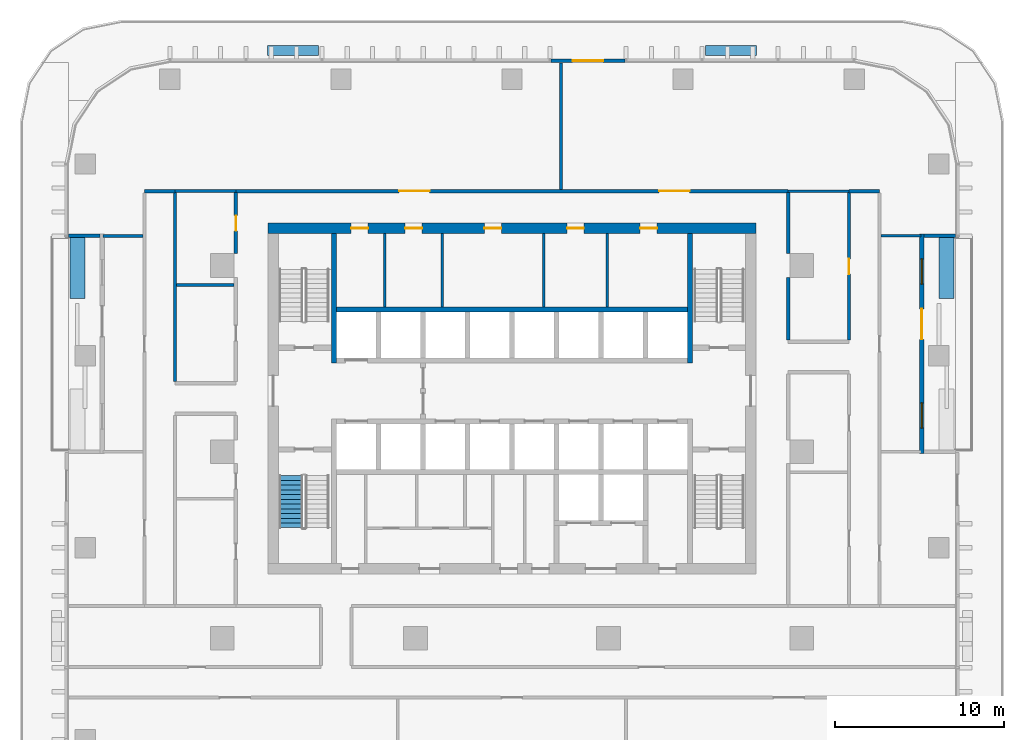
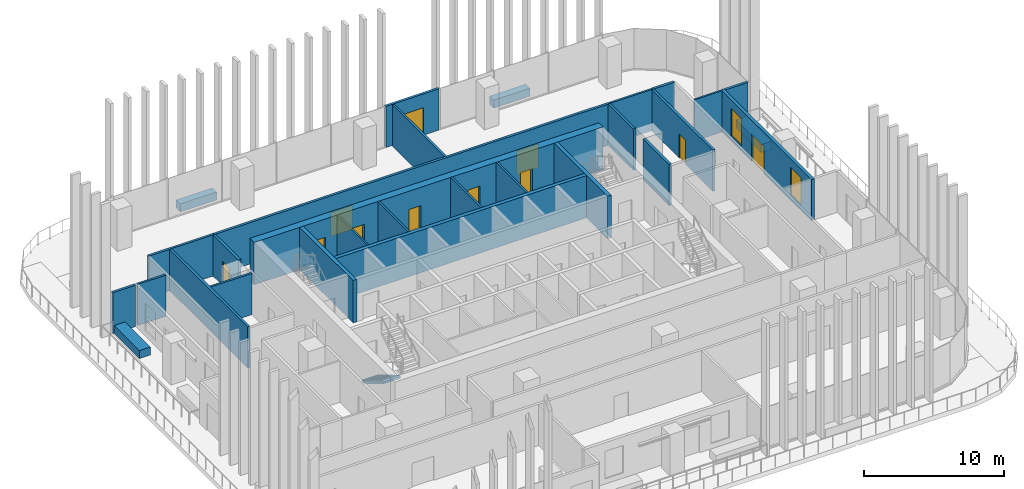
# One storey, part 10 of 16: 30 walls, 11 doors, 2 windows, 1 stair flight, 13 openings, 1 element without a shape of its own.
"""IFC4 building model written with IfcOpenShell, lengths in metres."""

from ifc_helpers import new_model, si_unit, direction, frame, frame_2d, origin, place, context, subcontext, project, spatial, polyline, rectangle, outline, extrude, material, layer, layer_set, type_object, element, fill, aggregate, save


model = new_model("IFC4")

# Units and contexts
model_context = context("Model", 3, precision=1e-05, world=origin(), true_north=direction((0.0, 1.0)))
body_context = subcontext(model_context, "Body", "Model", "MODEL_VIEW")
ifc_project = project(units=[si_unit("LENGTHUNIT", "METRE"), si_unit("AREAUNIT", "SQUARE_METRE"), si_unit("VOLUMEUNIT", "CUBIC_METRE"), si_unit("PLANEANGLEUNIT", "RADIAN"), si_unit("MASSUNIT", "GRAM", prefix="KILO")], contexts=[model_context])

# Site, building, storey
site_placement = place(None, origin())
site = spatial("IfcSite", under=ifc_project, at=site_placement, CompositionType="ELEMENT")
building_placement = place(site_placement, origin())
building = spatial("IfcBuilding", under=site, at=building_placement, Name="Mopane Tessera Tower", CompositionType="ELEMENT")
storey_placement = place(building_placement, frame((0.0, 0.0, 157.0)))
storey = spatial("IfcBuildingStorey", under=building, at=storey_placement, Name="L31", CompositionType="ELEMENT", Elevation=157.0)

# Walls
ifc_material_1 = material(Name="Fire-rated gypsum board partition")
ifc_layer_1 = layer(ifc_material_1, 0.14990234375)
ifc_layer_set_1 = layer_set([ifc_layer_1], Name="Fire-rated gypsum board partition")
wall_type_1 = type_object("IfcWallType", Name="Core room partition 150 mm", PredefinedType="PARTITIONING", material=ifc_layer_set_1)
for number, where, z_axis, x_axis, name in (
    (1, (-7.5, 8.550048828125, 0.0), (0.0, 0.0, 1.0), (0.0, 1.0, 0.0), "L31 Room partition"),
    (2, (-4.125, 8.550048828125, 0.0), (0.0, 0.0, 1.0), (0.0, 1.0, 0.0), "L31 Room partition"),
    (3, (1.875, 8.550048828125, 0.0), (0.0, 0.0, 1.0), (0.0, 1.0, 0.0), "L31 Room partition"),
    (4, (5.625, 8.550048828125, 0.0), (0.0, 0.0, 1.0), (0.0, 1.0, 0.0), "L31 Room partition"),
):
    element("IfcWall", number, at=place(storey_placement, frame(where, z_axis=z_axis, x_axis=x_axis)), inside=storey, type_object=wall_type_1, Name=name, PredefinedType="PARTITIONING", context=body_context, shape_type="SweptSolid", body=[
        extrude(rectangle(XDim=4.349853515625, YDim=0.14990234375, at=frame_2d((2.1748046875, 0.0))), origin(), (0.0, 0.0, 1.0), 3.699951171875),
    ])

# Wall, openings, doors
ifc_material_2 = material(Name="Concrete C70/85", Category="concrete")
ifc_layer_2 = layer(ifc_material_2, 0.60009765625)
ifc_layer_set_2 = layer_set([ifc_layer_2], Name="Concrete C70/85")
wall_type_2 = type_object("IfcWallType", Name="Core shear wall 600 mm", PredefinedType="SHEAR", material=ifc_layer_set_2)
wall_1_placement = place(storey_placement, frame((-14.39990234375, 13.199951171875, 0.0), z_axis=(0.0, 0.0, 1.0), x_axis=(1.0, 0.0, 0.0)))
wall_1 = element("IfcWall", 5, at=wall_1_placement, inside=storey, type_object=wall_type_2, Name="L31 Core wall north", PredefinedType="SHEAR", context=body_context, shape_type="SweptSolid", body=[
    extrude(rectangle(XDim=28.7998046875, YDim=0.60009765625, at=frame_2d((14.39990234375, 0.0))), origin(), (0.0, 0.0, 1.0), 3.699951171875),
])
opening_1_placement = place(wall_1_placement, frame((4.89990234375, 0.0, 0.0)))
opening_1 = element("IfcOpeningElement", 6, at=opening_1_placement, cuts=wall_1, Name="Opening RD1", PredefinedType="OPENING", context=body_context, shape_type="SweptSolid", body=[
    extrude(rectangle(XDim=1.0, YDim=2.10009765625, at=frame_2d((0.5, 1.050048828125))), frame((0.0, 0.31201171875, 0.0), z_axis=(0.0, -1.0, 0.0), x_axis=(1.0, 0.0, 0.0)), (0.0, 0.0, 1.0), 0.6240234375),
])
opening_2_placement = place(wall_1_placement, frame((8.08740234375, 0.0, 0.0)))
opening_2 = element("IfcOpeningElement", 7, at=opening_2_placement, cuts=wall_1, Name="Opening RD1", PredefinedType="OPENING", context=body_context, shape_type="SweptSolid", body=[
    extrude(rectangle(XDim=1.0, YDim=2.10009765625, at=frame_2d((0.5, 1.050048828125))), frame((0.0, 0.31201171875, 0.0), z_axis=(0.0, -1.0, 0.0), x_axis=(1.0, 0.0, 0.0)), (0.0, 0.0, 1.0), 0.6240234375),
])
opening_3_placement = place(wall_1_placement, frame((12.77490234375, 0.0, 0.0)))
opening_3 = element("IfcOpeningElement", 8, at=opening_3_placement, cuts=wall_1, Name="Opening RD1", PredefinedType="OPENING", context=body_context, shape_type="SweptSolid", body=[
    extrude(rectangle(XDim=1.0, YDim=2.10009765625, at=frame_2d((0.5, 1.050048828125))), frame((0.0, 0.31201171875, 0.0), z_axis=(0.0, -1.0, 0.0), x_axis=(1.0, 0.0, 0.0)), (0.0, 0.0, 1.0), 0.6240234375),
])
opening_4_placement = place(wall_1_placement, frame((17.64990234375, 0.0, 0.0)))
opening_4 = element("IfcOpeningElement", 9, at=opening_4_placement, cuts=wall_1, Name="Opening RD1", PredefinedType="OPENING", context=body_context, shape_type="SweptSolid", body=[
    extrude(rectangle(XDim=1.0, YDim=2.10009765625, at=frame_2d((0.5, 1.050048828125))), frame((0.0, 0.31201171875, 0.0), z_axis=(0.0, -1.0, 0.0), x_axis=(1.0, 0.0, 0.0)), (0.0, 0.0, 1.0), 0.6240234375),
])
opening_5_placement = place(wall_1_placement, frame((21.96240234375, 0.0, 0.0)))
opening_5 = element("IfcOpeningElement", 10, at=opening_5_placement, cuts=wall_1, Name="Opening RD1", PredefinedType="OPENING", context=body_context, shape_type="SweptSolid", body=[
    extrude(rectangle(XDim=1.0, YDim=2.10009765625, at=frame_2d((0.5, 1.050048828125))), frame((0.0, 0.31201171875, 0.0), z_axis=(0.0, -1.0, 0.0), x_axis=(1.0, 0.0, 0.0)), (0.0, 0.0, 1.0), 0.6240234375),
])
ifc_material_3 = material(Name="Timber door", Category="wood")
door_type_1 = type_object("IfcDoorType", Name="Core room door 1000 x 2100", OperationType="SINGLE_SWING_LEFT", PredefinedType="DOOR", material=ifc_material_3)
door_1_placement = place(opening_1_placement, origin())
door_1 = element("IfcDoor", 11, at=door_1_placement, inside=storey, type_object=door_type_1, Name="L31 Room door", OperationType="SINGLE_SWING_LEFT", OverallHeight=2.10009765625, OverallWidth=1.0, PredefinedType="DOOR", context=body_context, shape_type="SweptSolid", body=[
    extrude(rectangle(XDim=1.0, YDim=2.10009765625, at=frame_2d((0.5, 1.050048828125))), frame((0.0, 0.02490234375, 0.0), z_axis=(0.0, -1.0, 0.0), x_axis=(1.0, 0.0, 0.0)), (0.0, 0.0, 1.0), 0.050048828125),
])
fill(opening_1, door_1)
door_2_placement = place(opening_2_placement, origin())
door_2 = element("IfcDoor", 12, at=door_2_placement, inside=storey, type_object=door_type_1, Name="L31 Room door", OperationType="SINGLE_SWING_LEFT", OverallHeight=2.10009765625, OverallWidth=1.0, PredefinedType="DOOR", context=body_context, shape_type="SweptSolid", body=[
    extrude(rectangle(XDim=1.0, YDim=2.10009765625, at=frame_2d((0.5, 1.050048828125))), frame((0.0, 0.02490234375, 0.0), z_axis=(0.0, -1.0, 0.0), x_axis=(1.0, 0.0, 0.0)), (0.0, 0.0, 1.0), 0.050048828125),
])
fill(opening_2, door_2)
door_3_placement = place(opening_3_placement, origin())
door_3 = element("IfcDoor", 13, at=door_3_placement, inside=storey, type_object=door_type_1, Name="L31 Room door", OperationType="SINGLE_SWING_LEFT", OverallHeight=2.10009765625, OverallWidth=1.0, PredefinedType="DOOR", context=body_context, shape_type="SweptSolid", body=[
    extrude(rectangle(XDim=1.0, YDim=2.10009765625, at=frame_2d((0.5, 1.050048828125))), frame((0.0, 0.02490234375, 0.0), z_axis=(0.0, -1.0, 0.0), x_axis=(1.0, 0.0, 0.0)), (0.0, 0.0, 1.0), 0.050048828125),
])
fill(opening_3, door_3)
door_4_placement = place(opening_4_placement, origin())
door_4 = element("IfcDoor", 14, at=door_4_placement, inside=storey, type_object=door_type_1, Name="L31 Room door", OperationType="SINGLE_SWING_LEFT", OverallHeight=2.10009765625, OverallWidth=1.0, PredefinedType="DOOR", context=body_context, shape_type="SweptSolid", body=[
    extrude(rectangle(XDim=1.0, YDim=2.10009765625, at=frame_2d((0.5, 1.050048828125))), frame((0.0, 0.02490234375, 0.0), z_axis=(0.0, -1.0, 0.0), x_axis=(1.0, 0.0, 0.0)), (0.0, 0.0, 1.0), 0.050048828125),
])
fill(opening_4, door_4)
door_5_placement = place(opening_5_placement, origin())
door_5 = element("IfcDoor", 15, at=door_5_placement, inside=storey, type_object=door_type_1, Name="L31 Room door", OperationType="SINGLE_SWING_LEFT", OverallHeight=2.10009765625, OverallWidth=1.0, PredefinedType="DOOR", context=body_context, shape_type="SweptSolid", body=[
    extrude(rectangle(XDim=1.0, YDim=2.10009765625, at=frame_2d((0.5, 1.050048828125))), frame((0.0, 0.02490234375, 0.0), z_axis=(0.0, -1.0, 0.0), x_axis=(1.0, 0.0, 0.0)), (0.0, 0.0, 1.0), 0.050048828125),
])
fill(opening_5, door_5)

# Walls
ifc_material_4 = material(Name="Concrete C60/75", Category="concrete")
ifc_layer_3 = layer(ifc_material_4, 0.300048828125)
ifc_layer_set_3 = layer_set([ifc_layer_3], Name="Concrete C60/75")
wall_type_3 = type_object("IfcWallType", Name="Core spine wall 300 mm", PredefinedType="SHEAR", material=ifc_layer_set_3)
for number, where, z_axis, x_axis, name in (
    (16, (-10.5, 5.25, 0.0), (0.0, 0.0, 1.0), (0.0, 1.0, 0.0), "L31 Core spine wall"),
    (17, (10.5, 5.25, 0.0), (0.0, 0.0, 1.0), (0.0, 1.0, 0.0), "L31 Core spine wall"),
):
    element("IfcWall", number, at=place(storey_placement, frame(where, z_axis=z_axis, x_axis=x_axis)), inside=storey, type_object=wall_type_3, Name=name, PredefinedType="SHEAR", context=body_context, shape_type="SweptSolid", body=[
        extrude(rectangle(XDim=7.64990234375, YDim=0.300048828125, at=frame_2d((3.824951171875, 0.0))), origin(), (0.0, 0.0, 1.0), 3.699951171875),
    ])
ifc_material_5 = material(Name="Gypsum board on staggered steel studs, double layer each face, acoustic mineral wool infill", Category="steel")
ifc_layer_4 = layer(ifc_material_5, 0.175048828125)
ifc_layer_set_4 = layer_set([ifc_layer_4], Name="Gypsum board on staggered steel studs, double layer each face, acoustic mineral wool infill")
wall_type_4 = type_object("IfcWallType", Name="Gypsum board acoustic partition 175, rated EI 60", PredefinedType="PARTITIONING", material=ifc_layer_set_4)
wall_2_placement = place(storey_placement, frame((-19.800048828125, 9.85498046875, 0.0), z_axis=(0.0, 0.0, 1.0), x_axis=(1.0, 0.0, 0.0)))
element("IfcWall", 18, at=wall_2_placement, inside=storey, type_object=wall_type_4, Name="Partition L31:019", PredefinedType="PARTITIONING", context=body_context, shape_type="SweptSolid", body=[
    extrude(rectangle(XDim=3.400146484375, YDim=0.175048828125, at=frame_2d((1.7001953125, 0.0))), origin(), (0.0, 0.0, 1.0), 3.60009765625),
])
wall_3_placement = place(storey_placement, frame((-24.14990234375, 12.75, 0.0), z_axis=(0.0, 0.0, 1.0), x_axis=(1.0, 0.0, 0.0)))
element("IfcWall", 19, at=wall_3_placement, inside=storey, type_object=wall_type_4, Name="Partition L31:021", PredefinedType="PARTITIONING", context=body_context, shape_type="SweptSolid", body=[
    extrude(rectangle(XDim=2.349853515625, YDim=0.175048828125, at=frame_2d((1.1748046875, 0.0))), origin(), (0.0, 0.0, 1.0), 3.60009765625),
])
wall_4_placement = place(storey_placement, frame((-19.89990234375, 15.39990234375, 0.0), z_axis=(0.0, 0.0, 1.0), x_axis=(1.0, 0.0, 0.0)))
element("IfcWall", 20, at=wall_4_placement, inside=storey, type_object=wall_type_4, Name="Partition L31:023", PredefinedType="PARTITIONING", context=body_context, shape_type="SweptSolid", body=[
    extrude(rectangle(XDim=3.599853515625, YDim=0.175048828125, at=frame_2d((1.7998046875, 0.0))), origin(), (0.0, 0.0, 1.0), 3.60009765625),
])
wall_5_placement = place(storey_placement, frame((2.885009765625, 15.5, 0.0), z_axis=(0.0, 0.0, 1.0), x_axis=(0.0, 1.0, 0.0)))
element("IfcWall", 21, at=wall_5_placement, inside=storey, type_object=wall_type_4, Name="Partition L31:037", PredefinedType="PARTITIONING", context=body_context, shape_type="SweptSolid", body=[
    extrude(rectangle(XDim=7.449951171875, YDim=0.175048828125, at=frame_2d((3.72509765625, 0.0))), origin(), (0.0, 0.0, 1.0), 3.60009765625),
])
ifc_material_6 = material(Name="Gypsum board on steel studs, two layers each face, mineral wool infill", Category="steel")
ifc_layer_5 = layer(ifc_material_6, 0.199951171875)
ifc_layer_set_5 = layer_set([ifc_layer_5], Name="Gypsum board on steel studs, two layers each face, mineral wool infill")
wall_type_5 = type_object("IfcWallType", Name="Gypsum board corridor wall 200, rated EI 60", PredefinedType="PARTITIONING", material=ifc_layer_set_5)
wall_6_placement = place(storey_placement, frame((-21.699951171875, 15.39990234375, 0.0), z_axis=(0.0, 0.0, 1.0), x_axis=(1.0, 0.0, 0.0)))
element("IfcWall", 22, at=wall_6_placement, inside=storey, type_object=wall_type_5, Name="Partition L31:024", PredefinedType="PARTITIONING", context=body_context, shape_type="SweptSolid", body=[
    extrude(rectangle(XDim=1.800048828125, YDim=0.199951171875, at=frame_2d((0.89990234375, 0.0))), origin(), (0.0, 0.0, 1.0), 3.60009765625),
])

# Wall, openings, doors
wall_7_placement = place(storey_placement, frame((-16.300048828125, 15.39990234375, 0.0), z_axis=(0.0, 0.0, 1.0), x_axis=(1.0, 0.0, 0.0)))
wall_7 = element("IfcWall", 23, at=wall_7_placement, inside=storey, type_object=wall_type_5, Name="Partition L31:025", PredefinedType="PARTITIONING", context=body_context, shape_type="SweptSolid", body=[
    extrude(rectangle(XDim=32.60009765625, YDim=0.199951171875, at=frame_2d((16.300048828125, 0.0))), origin(), (0.0, 0.0, 1.0), 3.60009765625),
])
opening_6_placement = place(wall_7_placement, frame((24.992431640625, 0.0, 0.0)))
opening_6 = element("IfcOpeningElement", 24, at=opening_6_placement, cuts=wall_7, Name="Opening L31-06", PredefinedType="OPENING", context=body_context, shape_type="SweptSolid", body=[
    extrude(rectangle(XDim=1.800048828125, YDim=2.10009765625, at=frame_2d((0.89990234375, 1.050048828125))), frame((0.0, 0.112060546875, 0.0), z_axis=(0.0, -1.0, 0.0), x_axis=(1.0, 0.0, 0.0)), (0.0, 0.0, 1.0), 0.223876953125),
])
opening_7_placement = place(wall_7_placement, frame((9.635009765625, 0.0, 0.0)))
opening_7 = element("IfcOpeningElement", 25, at=opening_7_placement, cuts=wall_7, Name="Opening L31-17", PredefinedType="OPENING", context=body_context, shape_type="SweptSolid", body=[
    extrude(rectangle(XDim=1.800048828125, YDim=2.10009765625, at=frame_2d((0.89990234375, 1.050048828125))), frame((0.0, 0.112060546875, 0.0), z_axis=(0.0, -1.0, 0.0), x_axis=(1.0, 0.0, 0.0)), (0.0, 0.0, 1.0), 0.223876953125),
])
ifc_material_7 = material(Name="Timber veneered steel-framed fire door", Category="steel")
door_type_2 = type_object("IfcDoorType", Name="Fire door pair FD60 1800 x 2100", OperationType="DOUBLE_DOOR_SINGLE_SWING", PredefinedType="DOOR", material=ifc_material_7)
door_6_placement = place(opening_6_placement, origin())
door_6 = element("IfcDoor", 26, at=door_6_placement, inside=storey, type_object=door_type_2, Name="Door L31-06", ObjectType="D20A", OperationType="DOUBLE_DOOR_SINGLE_SWING", OverallHeight=2.10009765625, OverallWidth=1.800048828125, PredefinedType="DOOR", context=body_context, shape_type="SweptSolid", body=[
    extrude(rectangle(XDim=1.800048828125, YDim=2.10009765625, at=frame_2d((0.89990234375, 1.050048828125))), frame((0.0, 0.02490234375, 0.0), z_axis=(0.0, -1.0, 0.0), x_axis=(1.0, 0.0, 0.0)), (0.0, 0.0, 1.0), 0.050048828125),
])
fill(opening_6, door_6)
door_7_placement = place(opening_7_placement, origin())
door_7 = element("IfcDoor", 27, at=door_7_placement, inside=storey, type_object=door_type_2, Name="Door L31-17", ObjectType="D20A", OperationType="DOUBLE_DOOR_SINGLE_SWING", OverallHeight=2.10009765625, OverallWidth=1.800048828125, PredefinedType="DOOR", context=body_context, shape_type="SweptSolid", body=[
    extrude(rectangle(XDim=1.800048828125, YDim=2.10009765625, at=frame_2d((0.89990234375, 1.050048828125))), frame((0.0, 0.02490234375, 0.0), z_axis=(0.0, -1.0, 0.0), x_axis=(1.0, 0.0, 0.0)), (0.0, 0.0, 1.0), 0.050048828125),
])
fill(opening_7, door_7)

# Walls
wall_8_placement = place(storey_placement, frame((19.89990234375, 15.39990234375, 0.0), z_axis=(0.0, 0.0, 1.0), x_axis=(1.0, 0.0, 0.0)))
element("IfcWall", 28, at=wall_8_placement, inside=storey, type_object=wall_type_5, Name="Partition L31:026", PredefinedType="PARTITIONING", context=body_context, shape_type="SweptSolid", body=[
    extrude(rectangle(XDim=1.800048828125, YDim=0.199951171875, at=frame_2d((0.89990234375, 0.0))), origin(), (0.0, 0.0, 1.0), 3.60009765625),
])
wall_9_placement = place(storey_placement, frame((-19.89990234375, 4.14990234375, 0.0), z_axis=(0.0, 0.0, 1.0), x_axis=(0.0, 1.0, 0.0)))
element("IfcWall", 29, at=wall_9_placement, inside=storey, type_object=wall_type_5, Name="Partition L31:029", PredefinedType="PARTITIONING", context=body_context, shape_type="SweptSolid", body=[
    extrude(rectangle(XDim=11.150146484375, YDim=0.199951171875, at=frame_2d((5.5751953125, 0.0))), origin(), (0.0, 0.0, 1.0), 3.60009765625),
])

# Wall, opening, door
wall_10_placement = place(storey_placement, frame((-16.300048828125, 11.699951171875, 0.0), z_axis=(0.0, 0.0, 1.0), x_axis=(0.0, 1.0, 0.0)))
wall_10 = element("IfcWall", 30, at=wall_10_placement, inside=storey, type_object=wall_type_5, Name="Partition L31:033", PredefinedType="PARTITIONING", context=body_context, shape_type="SweptSolid", body=[
    extrude(rectangle(XDim=3.60009765625, YDim=0.199951171875, at=frame_2d((1.800048828125, 0.0))), origin(), (0.0, 0.0, 1.0), 3.60009765625),
])
opening_8_placement = place(wall_10_placement, frame((1.35009765625, 0.0, 0.0)))
opening_8 = element("IfcOpeningElement", 31, at=opening_8_placement, cuts=wall_10, Name="Opening L31-11", PredefinedType="OPENING", context=body_context, shape_type="SweptSolid", body=[
    extrude(rectangle(XDim=0.89990234375, YDim=2.10009765625, at=frame_2d((0.449951171875, 1.050048828125))), frame((0.0, 0.112060546875, 0.0), z_axis=(0.0, -1.0, 0.0), x_axis=(1.0, 0.0, 0.0)), (0.0, 0.0, 1.0), 0.223876953125),
])
ifc_material_8 = material(Name="Timber veneered steel-framed fire door", Category="steel")
door_type_3 = type_object("IfcDoorType", Name="Fire door FD60 900 x 2100", OperationType="SINGLE_SWING_LEFT", PredefinedType="DOOR", material=ifc_material_8)
door_8_placement = place(opening_8_placement, origin())
door_8 = element("IfcDoor", 32, at=door_8_placement, inside=storey, type_object=door_type_3, Name="Door L31-11", ObjectType="D10A", OperationType="SINGLE_SWING_RIGHT", OverallHeight=2.10009765625, OverallWidth=0.89990234375, PredefinedType="DOOR", context=body_context, shape_type="SweptSolid", body=[
    extrude(rectangle(XDim=0.89990234375, YDim=2.10009765625, at=frame_2d((0.449951171875, 1.050048828125))), frame((0.0, 0.02490234375, 0.0), z_axis=(0.0, -1.0, 0.0), x_axis=(1.0, 0.0, 0.0)), (0.0, 0.0, 1.0), 0.050048828125),
])
fill(opening_8, door_8)

# Walls
wall_11_placement = place(storey_placement, frame((16.300048828125, 6.60009765625, 0.0), z_axis=(0.0, 0.0, 1.0), x_axis=(0.0, 1.0, 0.0)))
element("IfcWall", 33, at=wall_11_placement, inside=storey, type_object=wall_type_5, Name="Partition L31:041", PredefinedType="PARTITIONING", context=body_context, shape_type="SweptSolid", body=[
    extrude(rectangle(XDim=3.699951171875, YDim=0.199951171875, at=frame_2d((1.85009765625, 0.0))), origin(), (0.0, 0.0, 1.0), 3.60009765625),
])
wall_12_placement = place(storey_placement, frame((16.300048828125, 11.699951171875, 0.0), z_axis=(0.0, 0.0, 1.0), x_axis=(0.0, 1.0, 0.0)))
element("IfcWall", 34, at=wall_12_placement, inside=storey, type_object=wall_type_5, Name="Partition L31:042", PredefinedType="PARTITIONING", context=body_context, shape_type="SweptSolid", body=[
    extrude(rectangle(XDim=3.60009765625, YDim=0.199951171875, at=frame_2d((1.800048828125, 0.0))), origin(), (0.0, 0.0, 1.0), 3.60009765625),
])

# Wall, opening, door
wall_13_placement = place(storey_placement, frame((19.89990234375, 6.60009765625, 0.0), z_axis=(0.0, 0.0, 1.0), x_axis=(0.0, 1.0, 0.0)))
wall_13 = element("IfcWall", 35, at=wall_13_placement, inside=storey, type_object=wall_type_5, Name="Partition L31:044", PredefinedType="PARTITIONING", context=body_context, shape_type="SweptSolid", body=[
    extrude(rectangle(XDim=8.699951171875, YDim=0.199951171875, at=frame_2d((4.35009765625, 0.0))), origin(), (0.0, 0.0, 1.0), 3.60009765625),
])
opening_9_placement = place(wall_13_placement, frame((3.89990234375, 0.0, 0.0)))
opening_9 = element("IfcOpeningElement", 36, at=opening_9_placement, cuts=wall_13, Name="Opening L31-12", PredefinedType="OPENING", context=body_context, shape_type="SweptSolid", body=[
    extrude(rectangle(XDim=0.89990234375, YDim=2.10009765625, at=frame_2d((0.449951171875, 1.050048828125))), frame((0.0, 0.112060546875, 0.0), z_axis=(0.0, -1.0, 0.0), x_axis=(1.0, 0.0, 0.0)), (0.0, 0.0, 1.0), 0.223876953125),
])
door_9_placement = place(opening_9_placement, origin())
door_9 = element("IfcDoor", 37, at=door_9_placement, inside=storey, type_object=door_type_3, Name="Door L31-12", ObjectType="D10A", OperationType="SINGLE_SWING_LEFT", OverallHeight=2.10009765625, OverallWidth=0.89990234375, PredefinedType="DOOR", context=body_context, shape_type="SweptSolid", body=[
    extrude(rectangle(XDim=0.89990234375, YDim=2.10009765625, at=frame_2d((0.449951171875, 1.050048828125))), frame((0.0, 0.02490234375, 0.0), z_axis=(0.0, -1.0, 0.0), x_axis=(1.0, 0.0, 0.0)), (0.0, 0.0, 1.0), 0.050048828125),
])
fill(opening_9, door_9)

# Walls
ifc_material_9 = material(Name="Gypsum board on steel studs, mineral wool infill", Category="steel")
ifc_layer_6 = layer(ifc_material_9, 0.14990234375)
ifc_layer_set_6 = layer_set([ifc_layer_6], Name="Gypsum board on steel studs, mineral wool infill")
wall_type_6 = type_object("IfcWallType", Name="Gypsum board partition 150, rated EI 60", PredefinedType="PARTITIONING", material=ifc_layer_set_6)
wall_14_placement = place(storey_placement, frame((21.800048828125, 12.75, 0.0), z_axis=(0.0, 0.0, 1.0), x_axis=(1.0, 0.0, 0.0)))
element("IfcWall", 38, at=wall_14_placement, inside=storey, type_object=wall_type_6, Name="Partition L31:020", PredefinedType="PARTITIONING", context=body_context, shape_type="SweptSolid", body=[
    extrude(rectangle(XDim=2.349853515625, YDim=0.14990234375, at=frame_2d((1.1748046875, 0.0))), origin(), (0.0, 0.0, 1.0), 3.60009765625),
])
wall_15_placement = place(storey_placement, frame((16.300048828125, 15.39990234375, 0.0), z_axis=(0.0, 0.0, 1.0), x_axis=(1.0, 0.0, 0.0)))
element("IfcWall", 39, at=wall_15_placement, inside=storey, type_object=wall_type_6, Name="Partition L31:022", PredefinedType="PARTITIONING", context=body_context, shape_type="SweptSolid", body=[
    extrude(rectangle(XDim=3.599853515625, YDim=0.14990234375, at=frame_2d((1.7998046875, 0.0))), origin(), (0.0, 0.0, 1.0), 3.60009765625),
])
ifc_material_10 = material(Name="Concrete C50/60", Category="concrete")
ifc_layer_7 = layer(ifc_material_10, 0.300048828125)
ifc_layer_set_7 = layer_set([ifc_layer_7], Name="Concrete C50/60")
wall_type_7 = type_object("IfcWallType", Name="Lift and stair shaft wall 300 mm", PredefinedType="SOLIDWALL", material=ifc_layer_set_7)
wall_16_placement = place(storey_placement, frame((-10.35009765625, 8.39990234375, 0.0), z_axis=(0.0, 0.0, 1.0), x_axis=(1.0, 0.0, 0.0)))
element("IfcWall", 40, at=wall_16_placement, inside=storey, type_object=wall_type_7, Name="L31 Lift shaft rear wall", PredefinedType="SOLIDWALL", context=body_context, shape_type="SweptSolid", body=[
    extrude(rectangle(XDim=20.7001953125, YDim=0.300048828125, at=frame_2d((10.35009765625, 0.0))), origin(), (0.0, 0.0, 1.0), 3.699951171875),
])
ifc_material_11 = material(Name="Reinforced concrete C32/40 with waterproofing", Category="concrete")
ifc_layer_8 = layer(ifc_material_11, 0.60009765625)
ifc_layer_set_8 = layer_set([ifc_layer_8], Name="Reinforced concrete C32/40 with waterproofing")
wall_type_8 = type_object("IfcWallType", Name="Planter trough 3000 x 600", PredefinedType="STANDARD", material=ifc_layer_set_8)
for number, where, z_axis, x_axis, name in (
    (41, (14.427978515625, 23.699951171875, 0.0), (0.0, 0.0, 1.0), (-1.0, 0.0, 0.0), "e:sp:L31:N0"),
    (42, (-11.427978515625, 23.699951171875, 0.0), (0.0, 0.0, 1.0), (-1.0, 0.0, 0.0), "e:sp:L31:N1"),
):
    element("IfcWall", number, at=place(storey_placement, frame(where, z_axis=z_axis, x_axis=x_axis)), inside=storey, type_object=wall_type_8, Name=name, PredefinedType="STANDARD", context=body_context, shape_type="SweptSolid", body=[
        extrude(rectangle(XDim=3.0, YDim=0.60009765625, at=frame_2d((1.5, 0.0))), origin(), (0.0, 0.0, 1.0), 0.699951171875),
    ])
ifc_material_12 = material(Name="Reinforced concrete C32/40 with waterproofing", Category="concrete")
ifc_layer_9 = layer(ifc_material_12, 0.89990234375)
ifc_layer_set_9 = layer_set([ifc_layer_9], Name="Reinforced concrete C32/40 with waterproofing")
wall_type_9 = type_object("IfcWallType", Name="Planter trough 3600 x 900", PredefinedType="STANDARD", material=ifc_layer_set_9)
for number, where, z_axis, x_axis, name in (
    (43, (-25.64990234375, 12.64990234375, 0.0), (0.0, 0.0, 1.0), (0.0, -1.0, 0.0), "e:nw:L31:N1:pl0"),
    (44, (25.64990234375, 9.050048828125, 0.0), (0.0, 0.0, 1.0), (0.0, 1.0, 0.0), "e:nw:L31:N3:pl1"),
):
    element("IfcWall", number, at=place(storey_placement, frame(where, z_axis=z_axis, x_axis=x_axis)), inside=storey, type_object=wall_type_9, Name=name, PredefinedType="STANDARD", context=body_context, shape_type="SweptSolid", body=[
        extrude(rectangle(XDim=3.599853515625, YDim=0.89990234375, at=frame_2d((1.7998046875, 0.0))), origin(), (0.0, 0.0, 1.0), 0.699951171875),
    ])
ifc_material_13 = material(Name="Blockwork with glazed tile facing", Category="masonry")
ifc_layer_10 = layer(ifc_material_13, 0.199951171875)
ifc_layer_set_10 = layer_set([ifc_layer_10], Name="Blockwork with glazed tile facing")
wall_type_10 = type_object("IfcWallType", Name="Terrace cheek wall 200", PredefinedType="STANDARD", material=ifc_layer_set_10)
for number, where, z_axis, x_axis, name in (
    (45, (-26.199951171875, 12.75, 0.0), (0.0, 0.0, 1.0), (1.0, 0.0, 0.0), "e:nw:L31:N1:cheeka"),
    (46, (26.199951171875, 12.75, 0.0), (0.0, 0.0, 1.0), (-1.0, 0.0, 0.0), "e:nw:L31:N3:cheekb"),
):
    element("IfcWall", number, at=place(storey_placement, frame(where, z_axis=z_axis, x_axis=x_axis)), inside=storey, type_object=wall_type_10, Name=name, PredefinedType="STANDARD", context=body_context, shape_type="SweptSolid", body=[
        extrude(rectangle(XDim=1.875, YDim=0.199951171875, at=frame_2d((0.9375, 0.0))), origin(), (0.0, 0.0, 1.0), 3.60009765625),
    ])

# Wall, openings, windows, door
ifc_material_14 = material(Name="Blockwork with ochre glazed tile facing", Category="masonry")
ifc_layer_11 = layer(ifc_material_14, 0.25)
ifc_layer_set_11 = layer_set([ifc_layer_11], Name="Blockwork with ochre glazed tile facing")
wall_type_11 = type_object("IfcWallType", Name="Tile-clad external wall 250, ochre", PredefinedType="STANDARD", material=ifc_layer_set_11)
wall_17_placement = place(storey_placement, frame((24.199951171875, -0.10009765625, 0.0), z_axis=(0.0, 0.0, 1.0), x_axis=(0.0, 1.0, 0.0)))
wall_17 = element("IfcWall", 47, at=wall_17_placement, inside=storey, type_object=wall_type_11, Name="e:nw:L31:N3:back", PredefinedType="STANDARD", context=body_context, shape_type="SweptSolid", body=[
    extrude(rectangle(XDim=12.9501953125, YDim=0.25, at=frame_2d((6.47509765625, 0.0))), origin(), (0.0, 0.0, 1.0), 3.60009765625),
])
opening_10_placement = place(wall_17_placement, frame((1.5, 0.0, 0.449951171875)))
opening_10 = element("IfcOpeningElement", 48, at=opening_10_placement, cuts=wall_17, Name="Opening NW313A", PredefinedType="OPENING", context=body_context, shape_type="SweptSolid", body=[
    extrude(rectangle(XDim=1.5, YDim=2.39990234375, at=frame_2d((0.75, 1.199951171875))), frame((0.0, 0.136962890625, 0.0), z_axis=(0.0, -1.0, 0.0), x_axis=(1.0, 0.0, 0.0)), (0.0, 0.0, 1.0), 0.27392578125),
])
opening_11_placement = place(wall_17_placement, frame((6.75, 0.0, 0.0)))
opening_11 = element("IfcOpeningElement", 49, at=opening_11_placement, cuts=wall_17, Name="Opening ND313", PredefinedType="OPENING", context=body_context, shape_type="SweptSolid", body=[
    extrude(rectangle(XDim=1.800048828125, YDim=2.39990234375, at=frame_2d((0.89990234375, 1.199951171875))), frame((0.0, 0.136962890625, 0.0), z_axis=(0.0, -1.0, 0.0), x_axis=(1.0, 0.0, 0.0)), (0.0, 0.0, 1.0), 0.27392578125),
])
opening_12_placement = place(wall_17_placement, frame((10.0, 0.0, 0.449951171875)))
opening_12 = element("IfcOpeningElement", 50, at=opening_12_placement, cuts=wall_17, Name="Opening NW313B", PredefinedType="OPENING", context=body_context, shape_type="SweptSolid", body=[
    extrude(rectangle(XDim=1.5, YDim=2.39990234375, at=frame_2d((0.75, 1.199951171875))), frame((0.0, 0.136962890625, 0.0), z_axis=(0.0, -1.0, 0.0), x_axis=(1.0, 0.0, 0.0)), (0.0, 0.0, 1.0), 0.27392578125),
])
ifc_material_15 = material(Name="Clear laminated glass", Category="glass")
window_type = type_object("IfcWindowType", Name="Fixed window 1500 x 2400", PartitioningType="SINGLE_PANEL", PredefinedType="WINDOW", material=ifc_material_15)
window_1_placement = place(opening_10_placement, origin())
window_1 = element("IfcWindow", 51, at=window_1_placement, inside=storey, type_object=window_type, Name="e:nw:L31:N3:win0", OverallHeight=2.39990234375, OverallWidth=1.5, PartitioningType="SINGLE_PANEL", PredefinedType="WINDOW", context=body_context, shape_type="SweptSolid", body=[
    extrude(rectangle(XDim=1.5, YDim=2.39990234375, at=frame_2d((0.75, 1.199951171875))), frame((0.0, 0.030029296875, 0.0), z_axis=(0.0, -1.0, 0.0), x_axis=(1.0, 0.0, 0.0)), (0.0, 0.0, 1.0), 0.06005859375),
])
fill(opening_10, window_1)
window_2_placement = place(opening_12_placement, origin())
window_2 = element("IfcWindow", 52, at=window_2_placement, inside=storey, type_object=window_type, Name="e:nw:L31:N3:win2", OverallHeight=2.39990234375, OverallWidth=1.5, PartitioningType="SINGLE_PANEL", PredefinedType="WINDOW", context=body_context, shape_type="SweptSolid", body=[
    extrude(rectangle(XDim=1.5, YDim=2.39990234375, at=frame_2d((0.75, 1.199951171875))), frame((0.0, 0.030029296875, 0.0), z_axis=(0.0, -1.0, 0.0), x_axis=(1.0, 0.0, 0.0)), (0.0, 0.0, 1.0), 0.06005859375),
])
fill(opening_12, window_2)
ifc_material_16 = material(Name="Aluminium and clear glass", Category="aluminium")
door_type_4 = type_object("IfcDoorType", Name="Terrace double door 1800 x 2400", OperationType="DOUBLE_DOOR_SINGLE_SWING", PredefinedType="DOOR", material=ifc_material_16)
door_10_placement = place(opening_11_placement, origin())
door_10 = element("IfcDoor", 53, at=door_10_placement, inside=storey, type_object=door_type_4, Name="e:nw:L31:N3:door", ObjectType="D1", OperationType="DOUBLE_DOOR_SINGLE_SWING", OverallHeight=2.39990234375, OverallWidth=1.800048828125, PredefinedType="DOOR", context=body_context, shape_type="SweptSolid", body=[
    extrude(rectangle(XDim=1.800048828125, YDim=2.39990234375, at=frame_2d((0.89990234375, 1.199951171875))), frame((0.0, 0.02490234375, 0.0), z_axis=(0.0, -1.0, 0.0), x_axis=(1.0, 0.0, 0.0)), (0.0, 0.0, 1.0), 0.050048828125),
])
fill(opening_11, door_10)

# Wall, opening, door
ifc_material_17 = material(Name="Blockwork with glazed tile facing", Category="masonry")
ifc_layer_12 = layer(ifc_material_17, 0.199951171875)
ifc_layer_set_12 = layer_set([ifc_layer_12], Name="Blockwork with glazed tile facing")
wall_type_12 = type_object("IfcWallType", Name="Tile-clad portal wall 200", PredefinedType="STANDARD", material=ifc_layer_set_12)
wall_18_placement = place(storey_placement, frame((6.683349609375, 23.10009765625, 0.0), z_axis=(0.0, 0.0, 1.0), x_axis=(-1.0, 0.0, 0.0)))
wall_18 = element("IfcWall", 54, at=wall_18_placement, inside=storey, type_object=wall_type_12, Name="e:pw:L31:N", PredefinedType="STANDARD", context=body_context, shape_type="SweptSolid", body=[
    extrude(rectangle(XDim=4.388916015625, YDim=0.199951171875, at=frame_2d((2.1943359375, 0.0))), origin(), (0.0, 0.0, 1.0), 3.60009765625),
])
opening_13_placement = place(wall_18_placement, frame((1.300048828125, 0.0, 0.0)))
opening_13 = element("IfcOpeningElement", 55, at=opening_13_placement, cuts=wall_18, Name="Opening TD31N", PredefinedType="OPENING", context=body_context, shape_type="SweptSolid", body=[
    extrude(rectangle(XDim=1.800048828125, YDim=2.39990234375, at=frame_2d((0.89990234375, 1.199951171875))), frame((0.0, 0.112060546875, 0.0), z_axis=(0.0, -1.0, 0.0), x_axis=(1.0, 0.0, 0.0)), (0.0, 0.0, 1.0), 0.223876953125),
])
door_11_placement = place(opening_13_placement, origin())
door_11 = element("IfcDoor", 56, at=door_11_placement, inside=storey, type_object=door_type_4, Name="e:pw:L31:N:door", ObjectType="D1", OperationType="DOUBLE_DOOR_SINGLE_SWING", OverallHeight=2.39990234375, OverallWidth=1.800048828125, PredefinedType="DOOR", context=body_context, shape_type="SweptSolid", body=[
    extrude(rectangle(XDim=1.800048828125, YDim=2.39990234375, at=frame_2d((0.89990234375, 1.199951171875))), frame((0.0, 0.02490234375, 0.0), z_axis=(0.0, -1.0, 0.0), x_axis=(1.0, 0.0, 0.0)), (0.0, 0.0, 1.0), 0.050048828125),
])
fill(opening_13, door_11)

# Stair, stair flight
ifc_material_18 = material(Name="Concrete C50/60", Category="concrete")
stair_type = type_object("IfcStairType", Name="Escape stair 1400 mm, riser 167 mm", PredefinedType="HALF_TURN_STAIR", material=ifc_material_18)
stair_placement = place(storey_placement, origin())
stair = element("IfcStair", 57, at=stair_placement, inside=storey, type_object=stair_type, Name="L31 Escape stair south-west", PredefinedType="HALF_TURN_STAIR")
ifc_material_19 = material(Name="Concrete C50/60", Category="concrete")
stair_flight_type = type_object("IfcStairFlightType", Name="Escape stair flight 1400 mm", PredefinedType="STRAIGHT", material=ifc_material_19)
stair_flight_placement = place(storey_placement, frame((-13.050048828125, -1.39990234375, 0.0), z_axis=(0.0, 0.0, 1.0), x_axis=(0.0, -1.0, 0.0)))
stair_flight = element("IfcStairFlight", 58, at=stair_flight_placement, type_object=stair_flight_type, Name="ST1 flight 1", NumberOfRisers=12, NumberOfTreads=11, PredefinedType="STRAIGHT", RiserHeight=0.166666667, TreadLength=0.28, context=body_context, shape_type="SweptSolid", body=[
    extrude(outline(polyline([(0.0, 0.0), (0.0, 0.166748046875), (0.280029296875, 0.166748046875), (0.280029296875, 0.333251953125), (0.56005859375, 0.333251953125), (0.56005859375, 0.5), (0.840087890625, 0.5), (0.840087890625, 0.666748046875), (1.1201171875, 0.666748046875), (1.1201171875, 0.833251953125), (1.39990234375, 0.833251953125), (1.39990234375, 1.0), (1.679931640625, 1.0), (1.679931640625, 1.166748046875), (1.9599609375, 1.166748046875), (1.9599609375, 1.333251953125), (2.239990234375, 1.333251953125), (2.239990234375, 1.5), (2.52001953125, 1.5), (2.52001953125, 1.666748046875), (2.800048828125, 1.666748046875), (2.800048828125, 1.833251953125), (3.080078125, 1.833251953125), (3.080078125, 2.0), (3.080078125, 1.658935546875), (0.29296875, 0.0), (0.0, 0.0)])), frame((0.0, 0.699951171875, 0.0), z_axis=(0.0, -1.0, 0.0), x_axis=(1.0, 0.0, 0.0)), (0.0, 0.0, 1.0), 1.39990234375),
])
aggregate(stair, [stair_flight])

save(model, "model.ifc")
